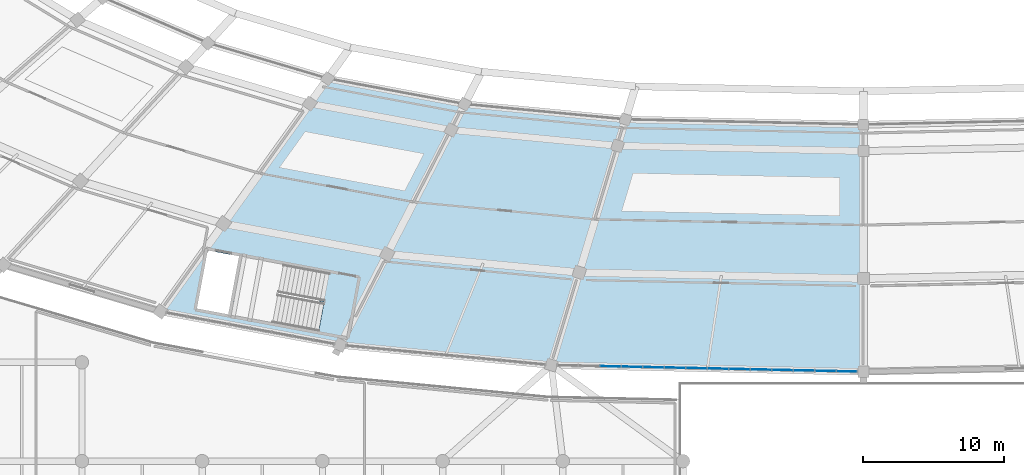
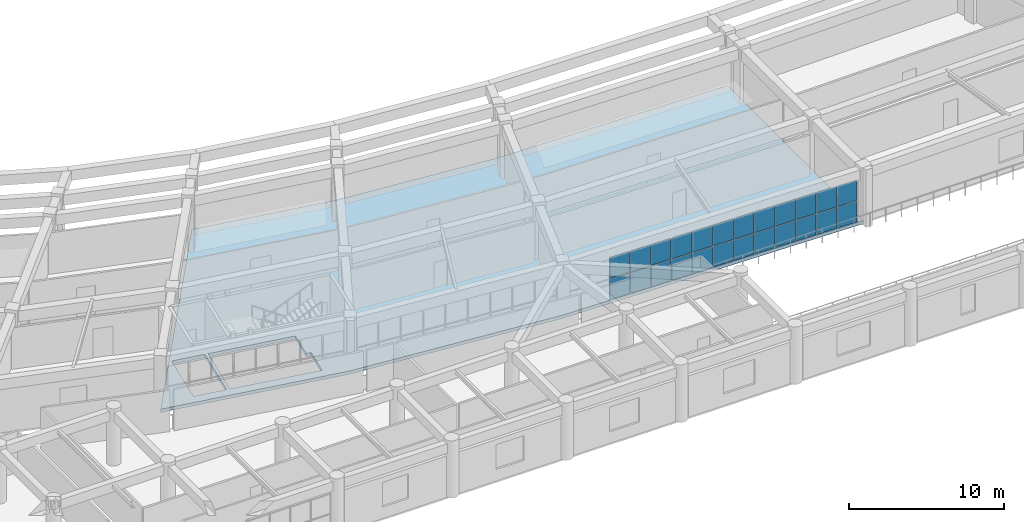
# One storey, part 79 of 145: 24 plates, 1 slab, 1 element without a shape of its own.
"""IFC4 building model written with IfcOpenShell, lengths in metres."""

from ifc_helpers import new_model, si_unit, direction, frame, origin, origin_2d, place, context, subcontext, project, spatial, polyline, rectangle, outline, extrude, material, layer, layer_set, type_object, element, aggregate, save


model = new_model("IFC4")

# Units and contexts
model_context = context("Model", 3, precision=1e-05, world=origin(), true_north=direction((0.0, 1.0)))
body_context = subcontext(model_context, "Body", "Model", "MODEL_VIEW")
ifc_project = project(units=[si_unit("LENGTHUNIT", "METRE"), si_unit("AREAUNIT", "SQUARE_METRE"), si_unit("VOLUMEUNIT", "CUBIC_METRE"), si_unit("PLANEANGLEUNIT", "RADIAN"), si_unit("MASSUNIT", "GRAM", prefix="KILO")], contexts=[model_context])

# Site, building, storey
site_placement = place(None, origin())
site = spatial("IfcSite", under=ifc_project, at=site_placement, CompositionType="ELEMENT")
building_placement = place(site_placement, origin())
building = spatial("IfcBuilding", under=site, at=building_placement, Name="Mphavela Belvedere Stadium", CompositionType="ELEMENT")
storey_placement = place(building_placement, frame((0.0, 0.0, 10.199951171875)))
storey = spatial("IfcBuildingStorey", under=building, at=storey_placement, Name="L02", CompositionType="ELEMENT", Elevation=10.199951171875)

# Curtain wall, plates
ifc_material_1 = material(Name="Anodised bronze unitised curtain wall framing")
ifc_layer_1 = layer(ifc_material_1, 0.195068359375)
ifc_layer_set_1 = layer_set([ifc_layer_1], Name="Anodised bronze unitised curtain wall framing")
curtain_wall_type = type_object("IfcCurtainWallType", Name="CW-UNIT-04", PredefinedType="USERDEFINED", material=ifc_layer_set_1)
curtain_wall_placement = place(storey_placement, origin())
curtain_wall = element("IfcCurtainWall", 1, at=curtain_wall_placement, inside=storey, type_object=curtain_wall_type, Name="Belvedere colonnade curtain wall L02-36", ObjectType="UNITISED CURTAIN WALL", PredefinedType="USERDEFINED")
ifc_material_2 = material(Name="Solar-control double glazing", Category="glass")
ifc_layer_2 = layer(ifc_material_2, 0.031982421875)
ifc_layer_set_2 = layer_set([ifc_layer_2], Name="Solar-control double glazing")
plate_type = type_object("IfcPlateType", Name="CWP-SOLAR-GLASS", PredefinedType="CURTAIN_PANEL", material=ifc_layer_set_2)
plate_1_placement = place(storey_placement, frame((97.09033203125, 13.715576171875, 0.06005859375), z_axis=(0.0, 0.0, 1.0), x_axis=(0.999768303802, -0.021525304021, 0.0)))
plate_1 = element("IfcPlate", 2, at=plate_1_placement, type_object=plate_type, Name="CW-04 panel 3.1", PredefinedType="CURTAIN_PANEL", context=body_context, shape_type="SweptSolid", body=[
    extrude(rectangle(XDim=1.4580078125, YDim=0.031982421875, at=origin_2d()), origin(), (0.0, 0.0, 1.0), 1.6201171875),
])
plate_2_placement = place(storey_placement, frame((97.09033203125, 13.715576171875, 1.739990234375), z_axis=(0.0, 0.0, 1.0), x_axis=(0.999768303802, -0.021525304021, 0.0)))
plate_2 = element("IfcPlate", 3, at=plate_2_placement, type_object=plate_type, Name="CW-04 panel 3.2", PredefinedType="CURTAIN_PANEL", context=body_context, shape_type="SweptSolid", body=[
    extrude(rectangle(XDim=1.4580078125, YDim=0.031982421875, at=origin_2d()), origin(), (0.0, 0.0, 1.0), 1.6201171875),
])
plate_3_placement = place(storey_placement, frame((98.613037109375, 13.682861328125, 0.06005859375), z_axis=(0.0, 0.0, 1.0), x_axis=(0.999768303802, -0.021525304021, 0.0)))
plate_3 = element("IfcPlate", 4, at=plate_3_placement, type_object=plate_type, Name="CW-04 panel 4.1", PredefinedType="CURTAIN_PANEL", context=body_context, shape_type="SweptSolid", body=[
    extrude(rectangle(XDim=1.4580078125, YDim=0.031982421875, at=origin_2d()), origin(), (0.0, 0.0, 1.0), 1.6201171875),
])
plate_4_placement = place(storey_placement, frame((98.613037109375, 13.682861328125, 1.739990234375), z_axis=(0.0, 0.0, 1.0), x_axis=(0.999768303802, -0.021525304021, 0.0)))
plate_4 = element("IfcPlate", 5, at=plate_4_placement, type_object=plate_type, Name="CW-04 panel 4.2", PredefinedType="CURTAIN_PANEL", context=body_context, shape_type="SweptSolid", body=[
    extrude(rectangle(XDim=1.4580078125, YDim=0.031982421875, at=origin_2d()), origin(), (0.0, 0.0, 1.0), 1.6201171875),
])
plate_5_placement = place(storey_placement, frame((100.1357421875, 13.650146484375, 0.06005859375), z_axis=(0.0, 0.0, 1.0), x_axis=(0.999768303802, -0.021525304021, 0.0)))
plate_5 = element("IfcPlate", 6, at=plate_5_placement, type_object=plate_type, Name="CW-04 panel 5.1", PredefinedType="CURTAIN_PANEL", context=body_context, shape_type="SweptSolid", body=[
    extrude(rectangle(XDim=1.4580078125, YDim=0.031982421875, at=origin_2d()), origin(), (0.0, 0.0, 1.0), 1.6201171875),
])
plate_6_placement = place(storey_placement, frame((100.1357421875, 13.650146484375, 1.739990234375), z_axis=(0.0, 0.0, 1.0), x_axis=(0.999768303802, -0.021525304021, 0.0)))
plate_6 = element("IfcPlate", 7, at=plate_6_placement, type_object=plate_type, Name="CW-04 panel 5.2", PredefinedType="CURTAIN_PANEL", context=body_context, shape_type="SweptSolid", body=[
    extrude(rectangle(XDim=1.4580078125, YDim=0.031982421875, at=origin_2d()), origin(), (0.0, 0.0, 1.0), 1.6201171875),
])
plate_7_placement = place(storey_placement, frame((101.658447265625, 13.6171875, 0.06005859375), z_axis=(0.0, 0.0, 1.0), x_axis=(0.999768303802, -0.021525304021, 0.0)))
plate_7 = element("IfcPlate", 8, at=plate_7_placement, type_object=plate_type, Name="CW-04 panel 6.1", PredefinedType="CURTAIN_PANEL", context=body_context, shape_type="SweptSolid", body=[
    extrude(rectangle(XDim=1.4580078125, YDim=0.031982421875, at=origin_2d()), origin(), (0.0, 0.0, 1.0), 1.6201171875),
])
plate_8_placement = place(storey_placement, frame((101.658447265625, 13.6171875, 1.739990234375), z_axis=(0.0, 0.0, 1.0), x_axis=(0.999768303802, -0.021525304021, 0.0)))
plate_8 = element("IfcPlate", 9, at=plate_8_placement, type_object=plate_type, Name="CW-04 panel 6.2", PredefinedType="CURTAIN_PANEL", context=body_context, shape_type="SweptSolid", body=[
    extrude(rectangle(XDim=1.4580078125, YDim=0.031982421875, at=origin_2d()), origin(), (0.0, 0.0, 1.0), 1.6201171875),
])
plate_9_placement = place(storey_placement, frame((103.181396484375, 13.58447265625, 0.06005859375), z_axis=(0.0, 0.0, 1.0), x_axis=(0.999768303802, -0.021525304021, 0.0)))
plate_9 = element("IfcPlate", 10, at=plate_9_placement, type_object=plate_type, Name="CW-04 panel 7.1", PredefinedType="CURTAIN_PANEL", context=body_context, shape_type="SweptSolid", body=[
    extrude(rectangle(XDim=1.4580078125, YDim=0.031982421875, at=origin_2d()), origin(), (0.0, 0.0, 1.0), 1.6201171875),
])
plate_10_placement = place(storey_placement, frame((103.181396484375, 13.58447265625, 1.739990234375), z_axis=(0.0, 0.0, 1.0), x_axis=(0.999768303802, -0.021525304021, 0.0)))
plate_10 = element("IfcPlate", 11, at=plate_10_placement, type_object=plate_type, Name="CW-04 panel 7.2", PredefinedType="CURTAIN_PANEL", context=body_context, shape_type="SweptSolid", body=[
    extrude(rectangle(XDim=1.4580078125, YDim=0.031982421875, at=origin_2d()), origin(), (0.0, 0.0, 1.0), 1.6201171875),
])
plate_11_placement = place(storey_placement, frame((104.7041015625, 13.5517578125, 0.06005859375), z_axis=(0.0, 0.0, 1.0), x_axis=(0.999768303802, -0.021525304021, 0.0)))
plate_11 = element("IfcPlate", 12, at=plate_11_placement, type_object=plate_type, Name="CW-04 panel 8.1", PredefinedType="CURTAIN_PANEL", context=body_context, shape_type="SweptSolid", body=[
    extrude(rectangle(XDim=1.4580078125, YDim=0.031982421875, at=origin_2d()), origin(), (0.0, 0.0, 1.0), 1.6201171875),
])
plate_12_placement = place(storey_placement, frame((104.7041015625, 13.5517578125, 1.739990234375), z_axis=(0.0, 0.0, 1.0), x_axis=(0.999768303802, -0.021525304021, 0.0)))
plate_12 = element("IfcPlate", 13, at=plate_12_placement, type_object=plate_type, Name="CW-04 panel 8.2", PredefinedType="CURTAIN_PANEL", context=body_context, shape_type="SweptSolid", body=[
    extrude(rectangle(XDim=1.4580078125, YDim=0.031982421875, at=origin_2d()), origin(), (0.0, 0.0, 1.0), 1.6201171875),
])
plate_13_placement = place(storey_placement, frame((106.226806640625, 13.51904296875, 0.06005859375), z_axis=(0.0, 0.0, 1.0), x_axis=(0.999768303802, -0.021525304021, 0.0)))
plate_13 = element("IfcPlate", 14, at=plate_13_placement, type_object=plate_type, Name="CW-04 panel 9.1", PredefinedType="CURTAIN_PANEL", context=body_context, shape_type="SweptSolid", body=[
    extrude(rectangle(XDim=1.4580078125, YDim=0.031982421875, at=origin_2d()), origin(), (0.0, 0.0, 1.0), 1.6201171875),
])
plate_14_placement = place(storey_placement, frame((106.226806640625, 13.51904296875, 1.739990234375), z_axis=(0.0, 0.0, 1.0), x_axis=(0.999768303802, -0.021525304021, 0.0)))
plate_14 = element("IfcPlate", 15, at=plate_14_placement, type_object=plate_type, Name="CW-04 panel 9.2", PredefinedType="CURTAIN_PANEL", context=body_context, shape_type="SweptSolid", body=[
    extrude(rectangle(XDim=1.4580078125, YDim=0.031982421875, at=origin_2d()), origin(), (0.0, 0.0, 1.0), 1.6201171875),
])
plate_15_placement = place(storey_placement, frame((107.74951171875, 13.486083984375, 0.06005859375), z_axis=(0.0, 0.0, 1.0), x_axis=(0.999768303802, -0.021525304021, 0.0)))
plate_15 = element("IfcPlate", 16, at=plate_15_placement, type_object=plate_type, Name="CW-04 panel 10.1", PredefinedType="CURTAIN_PANEL", context=body_context, shape_type="SweptSolid", body=[
    extrude(rectangle(XDim=1.4580078125, YDim=0.031982421875, at=origin_2d()), origin(), (0.0, 0.0, 1.0), 1.6201171875),
])
plate_16_placement = place(storey_placement, frame((107.74951171875, 13.486083984375, 1.739990234375), z_axis=(0.0, 0.0, 1.0), x_axis=(0.999768303802, -0.021525304021, 0.0)))
plate_16 = element("IfcPlate", 17, at=plate_16_placement, type_object=plate_type, Name="CW-04 panel 10.2", PredefinedType="CURTAIN_PANEL", context=body_context, shape_type="SweptSolid", body=[
    extrude(rectangle(XDim=1.4580078125, YDim=0.031982421875, at=origin_2d()), origin(), (0.0, 0.0, 1.0), 1.6201171875),
])
plate_17_placement = place(storey_placement, frame((109.2724609375, 13.453369140625, 0.06005859375), z_axis=(0.0, 0.0, 1.0), x_axis=(0.999768303802, -0.021525304021, 0.0)))
plate_17 = element("IfcPlate", 18, at=plate_17_placement, type_object=plate_type, Name="CW-04 panel 11.1", PredefinedType="CURTAIN_PANEL", context=body_context, shape_type="SweptSolid", body=[
    extrude(rectangle(XDim=1.4580078125, YDim=0.031982421875, at=origin_2d()), origin(), (0.0, 0.0, 1.0), 1.6201171875),
])
plate_18_placement = place(storey_placement, frame((109.2724609375, 13.453369140625, 1.739990234375), z_axis=(0.0, 0.0, 1.0), x_axis=(0.999768303802, -0.021525304021, 0.0)))
plate_18 = element("IfcPlate", 19, at=plate_18_placement, type_object=plate_type, Name="CW-04 panel 11.2", PredefinedType="CURTAIN_PANEL", context=body_context, shape_type="SweptSolid", body=[
    extrude(rectangle(XDim=1.4580078125, YDim=0.031982421875, at=origin_2d()), origin(), (0.0, 0.0, 1.0), 1.6201171875),
])
plate_19_placement = place(storey_placement, frame((110.795166015625, 13.420654296875, 0.06005859375), z_axis=(0.0, 0.0, 1.0), x_axis=(0.999768303802, -0.021525304021, 0.0)))
plate_19 = element("IfcPlate", 20, at=plate_19_placement, type_object=plate_type, Name="CW-04 panel 12.1", PredefinedType="CURTAIN_PANEL", context=body_context, shape_type="SweptSolid", body=[
    extrude(rectangle(XDim=1.4580078125, YDim=0.031982421875, at=origin_2d()), origin(), (0.0, 0.0, 1.0), 1.6201171875),
])
plate_20_placement = place(storey_placement, frame((110.795166015625, 13.420654296875, 1.739990234375), z_axis=(0.0, 0.0, 1.0), x_axis=(0.999768303802, -0.021525304021, 0.0)))
plate_20 = element("IfcPlate", 21, at=plate_20_placement, type_object=plate_type, Name="CW-04 panel 12.2", PredefinedType="CURTAIN_PANEL", context=body_context, shape_type="SweptSolid", body=[
    extrude(rectangle(XDim=1.4580078125, YDim=0.031982421875, at=origin_2d()), origin(), (0.0, 0.0, 1.0), 1.6201171875),
])
plate_21_placement = place(storey_placement, frame((112.31787109375, 13.3876953125, 0.06005859375), z_axis=(0.0, 0.0, 1.0), x_axis=(0.999768303802, -0.021525304021, 0.0)))
plate_21 = element("IfcPlate", 22, at=plate_21_placement, type_object=plate_type, Name="CW-04 panel 13.1", PredefinedType="CURTAIN_PANEL", context=body_context, shape_type="SweptSolid", body=[
    extrude(rectangle(XDim=1.4580078125, YDim=0.031982421875, at=origin_2d()), origin(), (0.0, 0.0, 1.0), 1.6201171875),
])
plate_22_placement = place(storey_placement, frame((112.31787109375, 13.3876953125, 1.739990234375), z_axis=(0.0, 0.0, 1.0), x_axis=(0.999768303802, -0.021525304021, 0.0)))
plate_22 = element("IfcPlate", 23, at=plate_22_placement, type_object=plate_type, Name="CW-04 panel 13.2", PredefinedType="CURTAIN_PANEL", context=body_context, shape_type="SweptSolid", body=[
    extrude(rectangle(XDim=1.4580078125, YDim=0.031982421875, at=origin_2d()), origin(), (0.0, 0.0, 1.0), 1.6201171875),
])
plate_23_placement = place(storey_placement, frame((113.824462890625, 13.355224609375, 0.06005859375), z_axis=(0.0, 0.0, 1.0), x_axis=(0.999768303802, -0.021525304021, 0.0)))
plate_23 = element("IfcPlate", 24, at=plate_23_placement, type_object=plate_type, Name="CW-04 panel 14.1", PredefinedType="CURTAIN_PANEL", context=body_context, shape_type="SweptSolid", body=[
    extrude(rectangle(XDim=1.425537109375, YDim=0.031982421875, at=origin_2d()), origin(), (0.0, 0.0, 1.0), 1.6201171875),
])
plate_24_placement = place(storey_placement, frame((113.824462890625, 13.355224609375, 1.739990234375), z_axis=(0.0, 0.0, 1.0), x_axis=(0.999768303802, -0.021525304021, 0.0)))
plate_24 = element("IfcPlate", 25, at=plate_24_placement, type_object=plate_type, Name="CW-04 panel 14.2", PredefinedType="CURTAIN_PANEL", context=body_context, shape_type="SweptSolid", body=[
    extrude(rectangle(XDim=1.425537109375, YDim=0.031982421875, at=origin_2d()), origin(), (0.0, 0.0, 1.0), 1.6201171875),
])
aggregate(curtain_wall, [plate_1, plate_2, plate_3, plate_4, plate_5, plate_6, plate_7, plate_8, plate_9, plate_10, plate_11, plate_12, plate_13, plate_14, plate_15, plate_16, plate_17, plate_18, plate_19, plate_20, plate_21, plate_22, plate_23, plate_24])

# Slab
ifc_material_3 = material(Name="Concrete C40/50", Category="concrete")
ifc_layer_3 = layer(ifc_material_3, 0.25)
ifc_layer_set_3 = layer_set([ifc_layer_3], Name="Concrete C40/50")
slab_type = type_object("IfcSlabType", Name="SLB-CONCOURSE-250", PredefinedType="FLOOR", material=ifc_layer_set_3)
slab_placement = place(storey_placement, frame((0.0, 0.0, -0.25)))
element("IfcSlab", 26, at=slab_placement, inside=storey, type_object=slab_type, Name="Concourse sector slab L02-S6:2", PredefinedType="FLOOR", context=body_context, shape_type="SweptSolid", body=[
    extrude(outline(polyline([(115.0, 13.330078125), (92.885498046875, 13.80615234375), (77.92724609375, 15.232666015625), (65.19873046875, 17.60302734375), (77.038330078125, 34.101318359375), (86.74072265625, 32.294189453125), (98.142822265625, 31.20703125), (115.0, 30.843994140625), (115.0, 13.330078125)]), holes=[polyline([(70.2099609375, 17.35888671875), (76.3994140625, 16.206298828125), (76.782958984375, 18.265869140625), (76.45263671875, 18.327392578125), (76.836181640625, 20.386962890625), (70.97705078125, 21.47802734375), (70.2099609375, 17.35888671875)]), polyline([(67.771728515625, 17.81298828125), (69.99365234375, 17.399169921875), (70.7607421875, 21.518310546875), (68.538818359375, 21.93212890625), (67.771728515625, 17.81298828125)])]), origin(), (0.0, 0.0, 1.0), 0.25),
])

save(model, "model.ifc")
